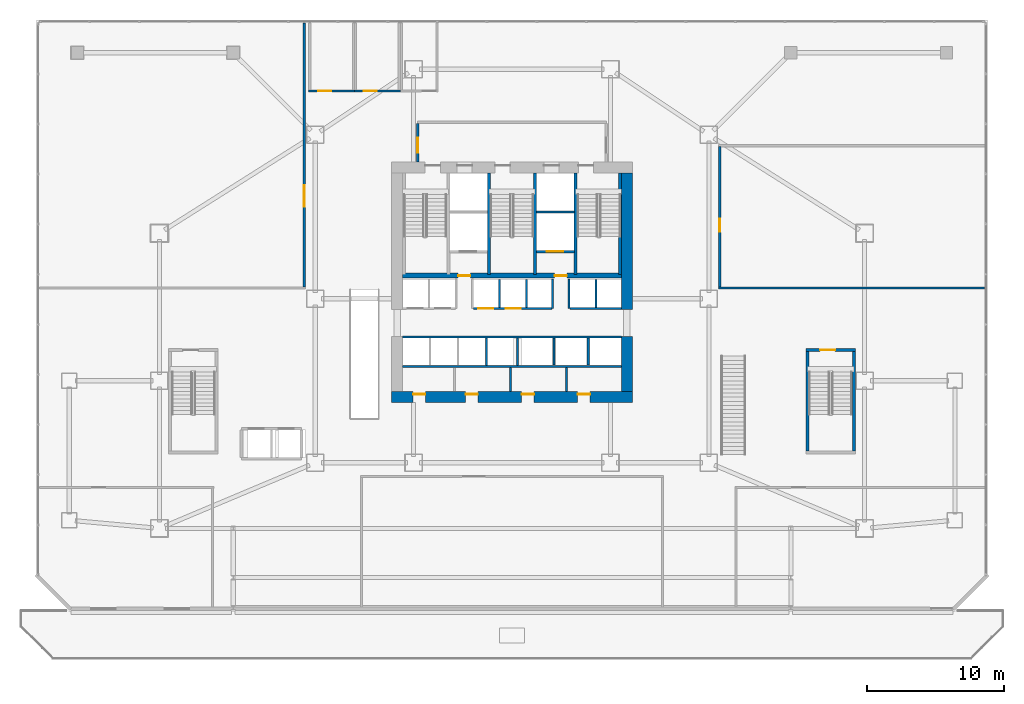
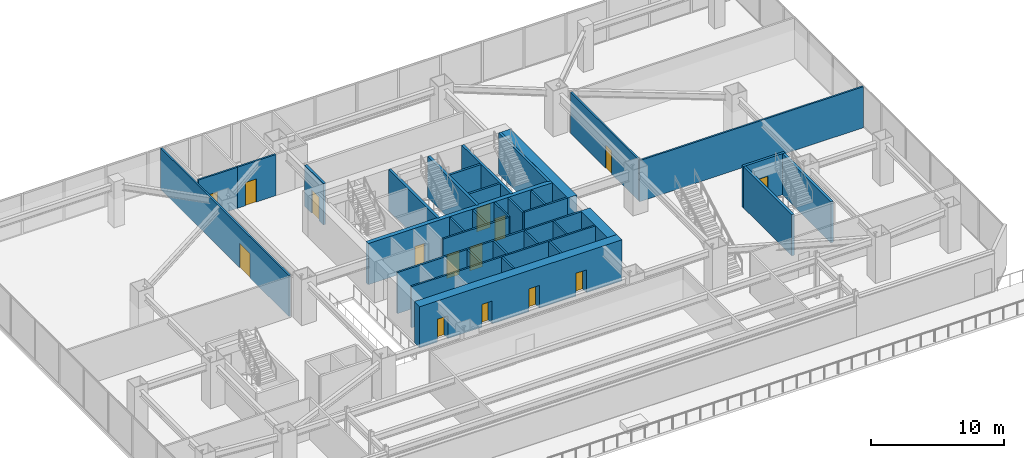
# One storey, part 24 of 32: 34 walls, 15 doors, 15 openings.
"""IFC4 building model written with IfcOpenShell, lengths in metres."""

from ifc_helpers import new_model, si_unit, direction, frame, frame_2d, origin, place, context, subcontext, project, spatial, rectangle, extrude, material, layer, layer_set, type_object, element, fill, save


model = new_model("IFC4")

# Units and contexts
model_context = context("Model", 3, precision=1e-05, world=origin(), true_north=direction((0.0, 1.0)))
body_context = subcontext(model_context, "Body", "Model", "MODEL_VIEW")
ifc_project = project(units=[si_unit("LENGTHUNIT", "METRE"), si_unit("AREAUNIT", "SQUARE_METRE"), si_unit("VOLUMEUNIT", "CUBIC_METRE"), si_unit("PLANEANGLEUNIT", "RADIAN"), si_unit("MASSUNIT", "GRAM", prefix="KILO")], contexts=[model_context])

# Site, building, storey
site_placement = place(None, origin())
site = spatial("IfcSite", under=ifc_project, at=site_placement, CompositionType="ELEMENT")
building_placement = place(site_placement, origin())
building = spatial("IfcBuilding", under=site, at=building_placement, Name="Haolan Belvedere Tower", CompositionType="ELEMENT")
storey_placement = place(building_placement, frame((0.0, 0.0, 15.60009765625)))
storey = spatial("IfcBuildingStorey", under=building, at=storey_placement, Name="L03", CompositionType="ELEMENT", Elevation=15.60009765625)

# Wall, openings, doors
ifc_material_1 = material(Name="Concrete C70/85", Category="concrete")
ifc_layer_1 = layer(ifc_material_1, 0.800048828125, Name="Concrete C70/85")
ifc_layer_set_1 = layer_set([ifc_layer_1], Name="Concrete C70/85")
wall_type_1 = type_object("IfcWallType", Name="WL-CORE-800", PredefinedType="SHEAR", material=ifc_layer_set_1)
wall_1_placement = place(storey_placement, frame((29.60009765625, 26.39990234375, 0.0), z_axis=(0.0, 0.0, 1.0), x_axis=(1.0, 0.0, 0.0)))
wall_1 = element("IfcWall", 1, at=wall_1_placement, inside=storey, type_object=wall_type_1, Name="L03 central core south shear wall", PredefinedType="SHEAR", context=body_context, shape_type="SweptSolid", body=[
    extrude(rectangle(XDim=17.599853515625, YDim=0.800048828125, at=frame_2d((8.7998046875, 0.0))), origin(), (0.0, 0.0, 1.0), 3.77978515625),
])
opening_1_placement = place(wall_1_placement, frame((2.469970703125, 0.0, 0.0), z_axis=(0.0, 0.0, 1.0), x_axis=(-1.0, 0.0, 0.0)))
opening_1 = element("IfcOpeningElement", 2, at=opening_1_placement, cuts=wall_1, Name="Opening FD-05", PredefinedType="OPENING", context=body_context, shape_type="SweptSolid", body=[
    extrude(rectangle(XDim=0.89990234375, YDim=2.10009765625, at=frame_2d((0.449951171875, 1.050048828125))), frame((0.0, 0.409912109375, 0.0), z_axis=(0.0, -1.0, 0.0), x_axis=(1.0, 0.0, 0.0)), (0.0, 0.0, 1.0), 0.820068359375),
])
opening_2_placement = place(wall_1_placement, frame((6.309814453125, 0.0, 0.0), z_axis=(0.0, 0.0, 1.0), x_axis=(-1.0, 0.0, 0.0)))
opening_2 = element("IfcOpeningElement", 3, at=opening_2_placement, cuts=wall_1, Name="Opening FD-05", PredefinedType="OPENING", context=body_context, shape_type="SweptSolid", body=[
    extrude(rectangle(XDim=0.89990234375, YDim=2.10009765625, at=frame_2d((0.449951171875, 1.050048828125))), frame((0.0, 0.409912109375, 0.0), z_axis=(0.0, -1.0, 0.0), x_axis=(1.0, 0.0, 0.0)), (0.0, 0.0, 1.0), 0.820068359375),
])
opening_3_placement = place(wall_1_placement, frame((10.409912109375, 0.0, 0.0), z_axis=(0.0, 0.0, 1.0), x_axis=(-1.0, 0.0, 0.0)))
opening_3 = element("IfcOpeningElement", 4, at=opening_3_placement, cuts=wall_1, Name="Opening FD-05", PredefinedType="OPENING", context=body_context, shape_type="SweptSolid", body=[
    extrude(rectangle(XDim=0.89990234375, YDim=2.10009765625, at=frame_2d((0.449951171875, 1.050048828125))), frame((0.0, 0.409912109375, 0.0), z_axis=(0.0, -1.0, 0.0), x_axis=(1.0, 0.0, 0.0)), (0.0, 0.0, 1.0), 0.820068359375),
])
opening_4_placement = place(wall_1_placement, frame((14.510009765625, 0.0, 0.0), z_axis=(0.0, 0.0, 1.0), x_axis=(-1.0, 0.0, 0.0)))
opening_4 = element("IfcOpeningElement", 5, at=opening_4_placement, cuts=wall_1, Name="Opening FD-05", PredefinedType="OPENING", context=body_context, shape_type="SweptSolid", body=[
    extrude(rectangle(XDim=0.89990234375, YDim=2.10009765625, at=frame_2d((0.449951171875, 1.050048828125))), frame((0.0, 0.409912109375, 0.0), z_axis=(0.0, -1.0, 0.0), x_axis=(1.0, 0.0, 0.0)), (0.0, 0.0, 1.0), 0.820068359375),
])
ifc_material_2 = material(Name="Galvanised fire-rated steel", Category="steel")
door_type_1 = type_object("IfcDoorType", Name="DR-FD60-900", OperationType="NOTDEFINED", PredefinedType="DOOR", material=ifc_material_2)
door_1_placement = place(opening_1_placement, origin())
door_1 = element("IfcDoor", 6, at=door_1_placement, inside=storey, type_object=door_type_1, Name="L03 door CD-L03-SCV-1", OperationType="SINGLE_SWING_LEFT", OverallHeight=2.10009765625, OverallWidth=0.89990234375, PredefinedType="DOOR", context=body_context, shape_type="SweptSolid", body=[
    extrude(rectangle(XDim=0.89990234375, YDim=2.10009765625, at=frame_2d((0.449951171875, 1.050048828125))), frame((0.0, -0.19482421875, 0.0), z_axis=(0.0, -1.0, 0.0), x_axis=(1.0, 0.0, 0.0)), (0.0, 0.0, 1.0), 0.050048828125),
])
fill(opening_1, door_1)
door_2_placement = place(opening_2_placement, origin())
door_2 = element("IfcDoor", 7, at=door_2_placement, inside=storey, type_object=door_type_1, Name="L03 door CD-L03-SCV-2", OperationType="SINGLE_SWING_RIGHT", OverallHeight=2.10009765625, OverallWidth=0.89990234375, PredefinedType="DOOR", context=body_context, shape_type="SweptSolid", body=[
    extrude(rectangle(XDim=0.89990234375, YDim=2.10009765625, at=frame_2d((0.449951171875, 1.050048828125))), frame((0.0, -0.19482421875, 0.0), z_axis=(0.0, -1.0, 0.0), x_axis=(1.0, 0.0, 0.0)), (0.0, 0.0, 1.0), 0.050048828125),
])
fill(opening_2, door_2)
door_3_placement = place(opening_3_placement, origin())
door_3 = element("IfcDoor", 8, at=door_3_placement, inside=storey, type_object=door_type_1, Name="L03 door CD-L03-SCV-3", OperationType="SINGLE_SWING_LEFT", OverallHeight=2.10009765625, OverallWidth=0.89990234375, PredefinedType="DOOR", context=body_context, shape_type="SweptSolid", body=[
    extrude(rectangle(XDim=0.89990234375, YDim=2.10009765625, at=frame_2d((0.449951171875, 1.050048828125))), frame((0.0, -0.19482421875, 0.0), z_axis=(0.0, -1.0, 0.0), x_axis=(1.0, 0.0, 0.0)), (0.0, 0.0, 1.0), 0.050048828125),
])
fill(opening_3, door_3)
door_4_placement = place(opening_4_placement, origin())
door_4 = element("IfcDoor", 9, at=door_4_placement, inside=storey, type_object=door_type_1, Name="L03 door CD-L03-SCV-4", OperationType="SINGLE_SWING_RIGHT", OverallHeight=2.10009765625, OverallWidth=0.89990234375, PredefinedType="DOOR", context=body_context, shape_type="SweptSolid", body=[
    extrude(rectangle(XDim=0.89990234375, YDim=2.10009765625, at=frame_2d((0.449951171875, 1.050048828125))), frame((0.0, -0.19482421875, 0.0), z_axis=(0.0, -1.0, 0.0), x_axis=(1.0, 0.0, 0.0)), (0.0, 0.0, 1.0), 0.050048828125),
])
fill(opening_4, door_4)

# Walls
wall_2_placement = place(storey_placement, frame((46.800048828125, 26.800048828125, 0.0), z_axis=(0.0, 0.0, 1.0), x_axis=(0.0, 1.0, 0.0)))
element("IfcWall", 10, at=wall_2_placement, inside=storey, type_object=wall_type_1, Name="L03 central core shear wall ES", PredefinedType="SHEAR", context=body_context, shape_type="SweptSolid", body=[
    extrude(rectangle(XDim=4.050048828125, YDim=0.800048828125, at=frame_2d((2.02490234375, 0.0))), origin(), (0.0, 0.0, 1.0), 3.77978515625),
])
wall_3_placement = place(storey_placement, frame((46.800048828125, 32.800048828125, 0.0), z_axis=(0.0, 0.0, 1.0), x_axis=(0.0, 1.0, 0.0)))
element("IfcWall", 11, at=wall_3_placement, inside=storey, type_object=wall_type_1, Name="L03 central core shear wall EN", PredefinedType="SHEAR", context=body_context, shape_type="SweptSolid", body=[
    extrude(rectangle(XDim=10.0, YDim=0.800048828125, at=frame_2d((5.0, 0.0))), origin(), (0.0, 0.0, 1.0), 3.77978515625),
])

# Wall, opening, door
ifc_material_3 = material(Name="Concrete C40/50", Category="concrete")
ifc_layer_2 = layer(ifc_material_3, 0.199951171875, Name="Concrete C40/50")
ifc_layer_set_2 = layer_set([ifc_layer_2], Name="Concrete C40/50")
wall_type_2 = type_object("IfcWallType", Name="WL-FIRE-200", PredefinedType="SOLIDWALL", material=ifc_layer_set_2)
wall_4_placement = place(storey_placement, frame((31.5, 43.60009765625, 0.0), z_axis=(0.0, 0.0, 1.0), x_axis=(0.0, 1.0, 0.0)))
wall_4 = element("IfcWall", 12, at=wall_4_placement, inside=storey, type_object=wall_type_2, Name="L03 interior partition IW-L03-FFL-W", PredefinedType="SOLIDWALL", context=body_context, shape_type="SweptSolid", body=[
    extrude(rectangle(XDim=2.8349609375, YDim=0.199951171875, at=frame_2d((1.41748046875, 0.0))), origin(), (0.0, 0.0, 1.0), 3.77978515625),
])
opening_5_placement = place(wall_4_placement, frame((1.800048828125, 0.0, 0.0), z_axis=(0.0, 0.0, 1.0), x_axis=(-1.0, 0.0, 0.0)))
opening_5 = element("IfcOpeningElement", 13, at=opening_5_placement, cuts=wall_4, Name="Opening FD-03", PredefinedType="OPENING", context=body_context, shape_type="SweptSolid", body=[
    extrude(rectangle(XDim=1.10009765625, YDim=2.14990234375, at=frame_2d((0.550048828125, 1.074951171875))), frame((0.0, 0.10986328125, 0.0), z_axis=(0.0, -1.0, 0.0), x_axis=(1.0, 0.0, 0.0)), (0.0, 0.0, 1.0), 0.219970703125),
])
door_type_2 = type_object("IfcDoorType", Name="DR-FD90-1100", OperationType="NOTDEFINED", PredefinedType="DOOR", material=ifc_material_2)
door_5_placement = place(opening_5_placement, origin())
door_5 = element("IfcDoor", 14, at=door_5_placement, inside=storey, type_object=door_type_2, Name="L03 door ID-L03-FFL-DW", OperationType="SINGLE_SWING_LEFT", OverallHeight=2.14990234375, OverallWidth=1.10009765625, PredefinedType="DOOR", context=body_context, shape_type="SweptSolid", body=[
    extrude(rectangle(XDim=1.10009765625, YDim=2.14990234375, at=frame_2d((0.550048828125, 1.074951171875))), frame((0.0, 0.02490234375, 0.0), z_axis=(0.0, -1.0, 0.0), x_axis=(1.0, 0.0, 0.0)), (0.0, 0.0, 1.0), 0.050048828125),
])
fill(opening_5, door_5)

# Walls
ifc_material_4 = material(Name="Double gypsum acoustic stud partition", Category="masonry")
ifc_layer_3 = layer(ifc_material_4, 0.14990234375, Name="Double gypsum acoustic stud partition")
ifc_layer_set_3 = layer_set([ifc_layer_3], Name="Double gypsum acoustic stud partition")
wall_type_3 = type_object("IfcWallType", Name="WL-PART-150", PredefinedType="PARTITIONING", material=ifc_layer_set_3)
wall_5_placement = place(storey_placement, frame((30.39990234375, 28.659912109375, 0.0), z_axis=(0.0, 0.0, 1.0), x_axis=(1.0, 0.0, 0.0)))
element("IfcWall", 15, at=wall_5_placement, inside=storey, type_object=wall_type_3, Name="L03 interior partition IW-L03-SSTRIP-N", PredefinedType="PARTITIONING", context=body_context, shape_type="SweptSolid", body=[
    extrude(rectangle(XDim=16.0, YDim=0.14990234375, at=frame_2d((8.0, 0.0))), origin(), (0.0, 0.0, 1.0), 3.77978515625),
])
for number, where, z_axis, x_axis, name in (
    (16, (38.280029296875, 26.81005859375, 0.0), (0.0, 0.0, 1.0), (0.0, 1.0, 0.0), "L03 interior partition IW-L03-SCV-DIV-2"),
    (17, (42.3798828125, 26.81005859375, 0.0), (0.0, 0.0, 1.0), (0.0, 1.0, 0.0), "L03 interior partition IW-L03-SCV-DIV-3"),
):
    element("IfcWall", number, at=place(storey_placement, frame(where, z_axis=z_axis, x_axis=x_axis)), inside=storey, type_object=wall_type_3, Name=name, PredefinedType="PARTITIONING", context=body_context, shape_type="SweptSolid", body=[
        extrude(rectangle(XDim=1.77001953125, YDim=0.14990234375, at=frame_2d((0.885009765625, 0.0))), origin(), (0.0, 0.0, 1.0), 3.77978515625),
    ])

# Wall, opening, door
wall_6_placement = place(storey_placement, frame((23.52001953125, 48.800048828125, 0.0), z_axis=(0.0, 0.0, 1.0), x_axis=(1.0, 0.0, 0.0)))
wall_6 = element("IfcWall", 18, at=wall_6_placement, inside=storey, type_object=wall_type_3, Name="L03 interior partition IW-L03-WCM-S", PredefinedType="PARTITIONING", context=body_context, shape_type="SweptSolid", body=[
    extrude(rectangle(XDim=3.35986328125, YDim=0.14990234375, at=frame_2d((1.679931640625, 0.0))), origin(), (0.0, 0.0, 1.0), 3.77978515625),
])
opening_6_placement = place(wall_6_placement, frame((0.699951171875, 0.0, 0.0)))
opening_6 = element("IfcOpeningElement", 19, at=opening_6_placement, cuts=wall_6, Name="Opening ID-03", PredefinedType="OPENING", context=body_context, shape_type="SweptSolid", body=[
    extrude(rectangle(XDim=0.949951171875, YDim=2.1201171875, at=frame_2d((0.47509765625, 1.06005859375))), frame((0.0, 0.0849609375, 0.0), z_axis=(0.0, -1.0, 0.0), x_axis=(1.0, 0.0, 0.0)), (0.0, 0.0, 1.0), 0.169921875),
])
ifc_material_5 = material(Name="Painted solid-core timber", Category="wood")
door_type_3 = type_object("IfcDoorType", Name="DR-INT-950", OperationType="NOTDEFINED", PredefinedType="DOOR", material=ifc_material_5)
door_6_placement = place(opening_6_placement, origin())
door_6 = element("IfcDoor", 20, at=door_6_placement, inside=storey, type_object=door_type_3, Name="L03 door ID-L03-WCM", OperationType="SINGLE_SWING_LEFT", OverallHeight=2.1201171875, OverallWidth=0.949951171875, PredefinedType="DOOR", context=body_context, shape_type="SweptSolid", body=[
    extrude(rectangle(XDim=0.949951171875, YDim=2.1201171875, at=frame_2d((0.47509765625, 1.06005859375))), frame((0.0, 0.02490234375, 0.0), z_axis=(0.0, -1.0, 0.0), x_axis=(1.0, 0.0, 0.0)), (0.0, 0.0, 1.0), 0.050048828125),
])
fill(opening_6, door_6)

wall_7_placement = place(storey_placement, frame((26.882080078125, 48.800048828125, 0.0), z_axis=(0.0, 0.0, 1.0), x_axis=(1.0, 0.0, 0.0)))
wall_7 = element("IfcWall", 21, at=wall_7_placement, inside=storey, type_object=wall_type_3, Name="L03 interior partition IW-L03-WCF-S", PredefinedType="PARTITIONING", context=body_context, shape_type="SweptSolid", body=[
    extrude(rectangle(XDim=3.347900390625, YDim=0.14990234375, at=frame_2d((1.673828125, 0.0))), origin(), (0.0, 0.0, 1.0), 3.77978515625),
])
opening_7_placement = place(wall_7_placement, frame((0.68798828125, 0.0, 0.0)))
opening_7 = element("IfcOpeningElement", 22, at=opening_7_placement, cuts=wall_7, Name="Opening ID-03", PredefinedType="OPENING", context=body_context, shape_type="SweptSolid", body=[
    extrude(rectangle(XDim=0.949951171875, YDim=2.1201171875, at=frame_2d((0.47509765625, 1.06005859375))), frame((0.0, 0.0849609375, 0.0), z_axis=(0.0, -1.0, 0.0), x_axis=(1.0, 0.0, 0.0)), (0.0, 0.0, 1.0), 0.169921875),
])
door_7_placement = place(opening_7_placement, origin())
door_7 = element("IfcDoor", 23, at=door_7_placement, inside=storey, type_object=door_type_3, Name="L03 door ID-L03-WCF", OperationType="SINGLE_SWING_RIGHT", OverallHeight=2.1201171875, OverallWidth=0.949951171875, PredefinedType="DOOR", context=body_context, shape_type="SweptSolid", body=[
    extrude(rectangle(XDim=0.949951171875, YDim=2.1201171875, at=frame_2d((0.47509765625, 1.06005859375))), frame((0.0, 0.02490234375, 0.0), z_axis=(0.0, -1.0, 0.0), x_axis=(1.0, 0.0, 0.0)), (0.0, 0.0, 1.0), 0.050048828125),
])
fill(opening_7, door_7)

wall_8_placement = place(storey_placement, frame((23.199951171875, 34.4599609375, 0.0), z_axis=(0.0, 0.0, 1.0), x_axis=(0.0, 1.0, 0.0)))
wall_8 = element("IfcWall", 24, at=wall_8_placement, inside=storey, type_object=wall_type_3, Name="L03 interior partition IW-L03-AUD-E", PredefinedType="PARTITIONING", context=body_context, shape_type="SweptSolid", body=[
    extrude(rectangle(XDim=19.328125, YDim=0.14990234375, at=frame_2d((9.6640625, 0.0))), origin(), (0.0, 0.0, 1.0), 3.77978515625),
])
opening_8_placement = place(wall_8_placement, frame((7.460205078125, 0.0, 0.0), z_axis=(0.0, 0.0, 1.0), x_axis=(-1.0, 0.0, 0.0)))
opening_8 = element("IfcOpeningElement", 25, at=opening_8_placement, cuts=wall_8, Name="Opening ID-06", PredefinedType="OPENING", context=body_context, shape_type="SweptSolid", body=[
    extrude(rectangle(XDim=1.60009765625, YDim=2.25, at=frame_2d((0.800048828125, 1.125))), frame((0.0, 0.0849609375, 0.0), z_axis=(0.0, -1.0, 0.0), x_axis=(1.0, 0.0, 0.0)), (0.0, 0.0, 1.0), 0.169921875),
])
ifc_material_6 = material(Name="Anodised bronze-champagne aluminium and acoustic glass", Category="aluminium")
door_type_4 = type_object("IfcDoorType", Name="DR-DBL-1600", OperationType="DOUBLE_DOOR_SINGLE_SWING", PredefinedType="DOOR", material=ifc_material_6)
door_8_placement = place(opening_8_placement, origin())
door_8 = element("IfcDoor", 26, at=door_8_placement, inside=storey, type_object=door_type_4, Name="L03 door ID-L03-AUD", OperationType="DOUBLE_DOOR_SINGLE_SWING", OverallHeight=2.25, OverallWidth=1.60009765625, PredefinedType="DOOR", context=body_context, shape_type="SweptSolid", body=[
    extrude(rectangle(XDim=1.60009765625, YDim=2.25, at=frame_2d((0.800048828125, 1.125))), frame((0.0, 0.02490234375, 0.0), z_axis=(0.0, -1.0, 0.0), x_axis=(1.0, 0.0, 0.0)), (0.0, 0.0, 1.0), 0.050048828125),
])
fill(opening_8, door_8)

# Wall
wall_9_placement = place(storey_placement, frame((53.52001953125, 34.39990234375, 0.0), z_axis=(0.0, 0.0, 1.0), x_axis=(1.0, 0.0, 0.0)))
element("IfcWall", 27, at=wall_9_placement, inside=storey, type_object=wall_type_3, Name="L03 interior partition IW-L03-BRD1-S", PredefinedType="PARTITIONING", context=body_context, shape_type="SweptSolid", body=[
    extrude(rectangle(XDim=19.468017578125, YDim=0.14990234375, at=frame_2d((9.73388671875, 0.0))), origin(), (0.0, 0.0, 1.0), 3.77978515625),
])

# Wall, opening, door
wall_10_placement = place(storey_placement, frame((53.60009765625, 34.4599609375, 0.0), z_axis=(0.0, 0.0, 1.0), x_axis=(0.0, 1.0, 0.0)))
wall_10 = element("IfcWall", 28, at=wall_10_placement, inside=storey, type_object=wall_type_3, Name="L03 interior partition IW-L03-BRD1-W", PredefinedType="PARTITIONING", context=body_context, shape_type="SweptSolid", body=[
    extrude(rectangle(XDim=10.280029296875, YDim=0.14990234375, at=frame_2d((5.14013671875, 0.0))), origin(), (0.0, 0.0, 1.0), 3.77978515625),
])
opening_9_placement = place(wall_10_placement, frame((4.06005859375, 0.0, 0.0)))
opening_9 = element("IfcOpeningElement", 29, at=opening_9_placement, cuts=wall_10, Name="Opening ID-03", PredefinedType="OPENING", context=body_context, shape_type="SweptSolid", body=[
    extrude(rectangle(XDim=0.949951171875, YDim=2.1201171875, at=frame_2d((0.47509765625, 1.06005859375))), frame((0.0, 0.0849609375, 0.0), z_axis=(0.0, -1.0, 0.0), x_axis=(1.0, 0.0, 0.0)), (0.0, 0.0, 1.0), 0.169921875),
])
door_9_placement = place(opening_9_placement, origin())
door_9 = element("IfcDoor", 30, at=door_9_placement, inside=storey, type_object=door_type_3, Name="L03 door ID-L03-BRD1", OperationType="SINGLE_SWING_LEFT", OverallHeight=2.1201171875, OverallWidth=0.949951171875, PredefinedType="DOOR", context=body_context, shape_type="SweptSolid", body=[
    extrude(rectangle(XDim=0.949951171875, YDim=2.1201171875, at=frame_2d((0.47509765625, 1.06005859375))), frame((0.0, 0.02490234375, 0.0), z_axis=(0.0, -1.0, 0.0), x_axis=(1.0, 0.0, 0.0)), (0.0, 0.0, 1.0), 0.050048828125),
])
fill(opening_9, door_9)

# Walls
ifc_material_7 = material(Name="Gypsum fire shaftwall assembly", Category="masonry")
ifc_layer_4 = layer(ifc_material_7, 0.1650390625, Name="Gypsum fire shaftwall assembly")
ifc_layer_set_4 = layer_set([ifc_layer_4], Name="Gypsum fire shaftwall assembly")
wall_type_4 = type_object("IfcWallType", Name="WL-SHAFT-160", PredefinedType="SOLIDWALL", material=ifc_layer_set_4)
for number, where, z_axis, x_axis, name in (
    (31, (41.3701171875, 32.8798828125, 0.0), (0.0, 0.0, 1.0), (0.0, 1.0, 0.0), "L03 interior partition IW-L03-SVP-W-SV2"),
    (32, (42.570068359375, 32.8798828125, 0.0), (0.0, 0.0, 1.0), (0.0, 1.0, 0.0), "L03 interior partition IW-L03-SVP-E-SV2"),
):
    element("IfcWall", number, at=place(storey_placement, frame(where, z_axis=z_axis, x_axis=x_axis)), inside=storey, type_object=wall_type_4, Name=name, PredefinedType="SOLIDWALL", context=body_context, shape_type="SweptSolid", body=[
        extrude(rectangle(XDim=2.170166015625, YDim=0.14990234375, at=frame_2d((1.0849609375, 0.0))), origin(), (0.0, 0.0, 1.0), 3.77978515625),
    ])

# Wall, openings, doors
wall_11_placement = place(storey_placement, frame((35.570068359375, 32.8798828125, 0.0), z_axis=(0.0, 0.0, 1.0), x_axis=(1.0, 0.0, 0.0)))
wall_11 = element("IfcWall", 33, at=wall_11_placement, inside=storey, type_object=wall_type_4, Name="L03 interior partition IW-L03-ROW-PN2", PredefinedType="SOLIDWALL", context=body_context, shape_type="SweptSolid", body=[
    extrude(rectangle(XDim=5.739990234375, YDim=0.159912109375, at=frame_2d((2.8701171875, 0.0))), origin(), (0.0, 0.0, 1.0), 3.77978515625),
])
opening_10_placement = place(wall_11_placement, frame((1.47021484375, 0.0, 0.0), z_axis=(0.0, 0.0, 1.0), x_axis=(-1.0, 0.0, 0.0)))
opening_10 = element("IfcOpeningElement", 34, at=opening_10_placement, cuts=wall_11, Name="Opening LD-01", PredefinedType="OPENING", context=body_context, shape_type="SweptSolid", body=[
    extrude(rectangle(XDim=1.10009765625, YDim=2.199951171875, at=frame_2d((0.550048828125, 1.10009765625))), frame((0.0, 0.08984375, 0.0), z_axis=(0.0, -1.0, 0.0), x_axis=(1.0, 0.0, 0.0)), (0.0, 0.0, 1.0), 0.179931640625),
])
opening_11_placement = place(wall_11_placement, frame((3.460205078125, 0.0, 0.0), z_axis=(0.0, 0.0, 1.0), x_axis=(-1.0, 0.0, 0.0)))
opening_11 = element("IfcOpeningElement", 35, at=opening_11_placement, cuts=wall_11, Name="Opening LD-01", PredefinedType="OPENING", context=body_context, shape_type="SweptSolid", body=[
    extrude(rectangle(XDim=1.10009765625, YDim=2.199951171875, at=frame_2d((0.550048828125, 1.10009765625))), frame((0.0, 0.08984375, 0.0), z_axis=(0.0, -1.0, 0.0), x_axis=(1.0, 0.0, 0.0)), (0.0, 0.0, 1.0), 0.179931640625),
])
ifc_material_8 = material(Name="Brushed champagne stainless steel 316L", Category="steel")
door_type_5 = type_object("IfcDoorType", Name="DR-LIFT-1100", OperationType="SLIDING_TO_LEFT", PredefinedType="DOOR", material=ifc_material_8)
door_10_placement = place(opening_10_placement, origin())
door_10 = element("IfcDoor", 36, at=door_10_placement, inside=storey, type_object=door_type_5, Name="L03 door ID-L03-LD-PL3", OperationType="SLIDING_TO_LEFT", OverallHeight=2.199951171875, OverallWidth=1.10009765625, PredefinedType="DOOR", context=body_context, shape_type="SweptSolid", body=[
    extrude(rectangle(XDim=1.10009765625, YDim=2.199951171875, at=frame_2d((0.550048828125, 1.10009765625))), frame((0.0, 0.02490234375, 0.0), z_axis=(0.0, -1.0, 0.0), x_axis=(1.0, 0.0, 0.0)), (0.0, 0.0, 1.0), 0.050048828125),
])
fill(opening_10, door_10)
door_11_placement = place(opening_11_placement, origin())
door_11 = element("IfcDoor", 37, at=door_11_placement, inside=storey, type_object=door_type_5, Name="L03 door ID-L03-LD-PL4", OperationType="SLIDING_TO_LEFT", OverallHeight=2.199951171875, OverallWidth=1.10009765625, PredefinedType="DOOR", context=body_context, shape_type="SweptSolid", body=[
    extrude(rectangle(XDim=1.10009765625, YDim=2.199951171875, at=frame_2d((0.550048828125, 1.10009765625))), frame((0.0, 0.02490234375, 0.0), z_axis=(0.0, -1.0, 0.0), x_axis=(1.0, 0.0, 0.0)), (0.0, 0.0, 1.0), 0.050048828125),
])
fill(opening_11, door_11)

# Walls
wall_12_placement = place(storey_placement, frame((42.6298828125, 32.8798828125, 0.0), z_axis=(0.0, 0.0, 1.0), x_axis=(1.0, 0.0, 0.0)))
element("IfcWall", 38, at=wall_12_placement, inside=storey, type_object=wall_type_4, Name="L03 interior partition IW-L03-ROW-PN3", PredefinedType="SOLIDWALL", context=body_context, shape_type="SweptSolid", body=[
    extrude(rectangle(XDim=3.77001953125, YDim=0.159912109375, at=frame_2d((1.885009765625, 0.0))), origin(), (0.0, 0.0, 1.0), 3.77978515625),
])
for number, where, z_axis, x_axis, name in (
    (39, (37.47998046875, 32.949951171875, 0.0), (0.0, 0.0, 1.0), (0.0, 1.0, 0.0), "L03 interior partition IW-L03-DIV-PL3"),
    (40, (39.469970703125, 32.949951171875, 0.0), (0.0, 0.0, 1.0), (0.0, 1.0, 0.0), "L03 interior partition IW-L03-DIV-PL4"),
    (41, (44.530029296875, 32.949951171875, 0.0), (0.0, 0.0, 1.0), (0.0, 1.0, 0.0), "L03 interior partition IW-L03-DIV-PH2"),
):
    element("IfcWall", number, at=place(storey_placement, frame(where, z_axis=z_axis, x_axis=x_axis)), inside=storey, type_object=wall_type_4, Name=name, PredefinedType="SOLIDWALL", context=body_context, shape_type="SweptSolid", body=[
        extrude(rectangle(XDim=2.050048828125, YDim=0.14990234375, at=frame_2d((1.02490234375, 0.0))), origin(), (0.0, 0.0, 1.0), 3.77978515625),
    ])
wall_13_placement = place(storey_placement, frame((30.39990234375, 30.800048828125, 0.0), z_axis=(0.0, 0.0, 1.0), x_axis=(1.0, 0.0, 0.0)))
element("IfcWall", 42, at=wall_13_placement, inside=storey, type_object=wall_type_4, Name="L03 interior partition IW-L03-ROW-PS", PredefinedType="SOLIDWALL", context=body_context, shape_type="SweptSolid", body=[
    extrude(rectangle(XDim=16.0, YDim=0.159912109375, at=frame_2d((8.0, 0.0))), origin(), (0.0, 0.0, 1.0), 3.77978515625),
])
for number, where, z_axis, x_axis, name in (
    (43, (36.52001953125, 28.735107421875, 0.0), (0.0, 0.0, 1.0), (0.0, 1.0, 0.0), "L03 interior partition IW-L03-DIV-PM3"),
    (44, (38.800048828125, 28.735107421875, 0.0), (0.0, 0.0, 1.0), (0.0, 1.0, 0.0), "L03 interior partition IW-L03-DIV-PM4"),
):
    element("IfcWall", number, at=place(storey_placement, frame(where, z_axis=z_axis, x_axis=x_axis)), inside=storey, type_object=wall_type_4, Name=name, PredefinedType="SOLIDWALL", context=body_context, shape_type="SweptSolid", body=[
        extrude(rectangle(XDim=1.98486328125, YDim=0.14990234375, at=frame_2d((0.992431640625, 0.0))), origin(), (0.0, 0.0, 1.0), 3.77978515625),
    ])
for number, where, z_axis, x_axis, name in (
    (45, (41.469970703125, 28.75, 0.0), (0.0, 0.0, 1.0), (0.0, 1.0, 0.0), "L03 interior partition IW-L03-DIV-OB1"),
    (46, (43.97998046875, 28.75, 0.0), (0.0, 0.0, 1.0), (0.0, 1.0, 0.0), "L03 interior partition IW-L03-DIV-OB2"),
):
    element("IfcWall", number, at=place(storey_placement, frame(where, z_axis=z_axis, x_axis=x_axis)), inside=storey, type_object=wall_type_4, Name=name, PredefinedType="SOLIDWALL", context=body_context, shape_type="SweptSolid", body=[
        extrude(rectangle(XDim=1.985107421875, YDim=0.14990234375, at=frame_2d((0.99267578125, 0.0))), origin(), (0.0, 0.0, 1.0), 3.77978515625),
    ])
ifc_material_9 = material(Name="Precast concrete C40/50", Category="concrete")
ifc_layer_5 = layer(ifc_material_9, 0.179931640625, Name="Precast concrete C40/50")
ifc_layer_set_5 = layer_set([ifc_layer_5], Name="Precast concrete C40/50")
wall_type_5 = type_object("IfcWallType", Name="WL-SHAFT-180", PredefinedType="SOLIDWALL", material=ifc_layer_set_5)
wall_14_placement = place(storey_placement, frame((40.195068359375, 39.949951171875, 0.0), z_axis=(0.0, 0.0, 1.0), x_axis=(1.0, 0.0, 0.0)))
element("IfcWall", 47, at=wall_14_placement, inside=storey, type_object=wall_type_5, Name="L03 interior partition IW-L03-FF2-S", PredefinedType="SOLIDWALL", context=body_context, shape_type="SweptSolid", body=[
    extrude(rectangle(XDim=2.77001953125, YDim=0.179931640625, at=frame_2d((1.385009765625, 0.0))), origin(), (0.0, 0.0, 1.0), 3.77978515625),
])

# Wall, opening, door
wall_15_placement = place(storey_placement, frame((40.195068359375, 37.050048828125, 0.0), z_axis=(0.0, 0.0, 1.0), x_axis=(1.0, 0.0, 0.0)))
wall_15 = element("IfcWall", 48, at=wall_15_placement, inside=storey, type_object=wall_type_5, Name="L03 interior partition IW-L03-SV2-S", PredefinedType="SOLIDWALL", context=body_context, shape_type="SweptSolid", body=[
    extrude(rectangle(XDim=2.77001953125, YDim=0.179931640625, at=frame_2d((1.385009765625, 0.0))), origin(), (0.0, 0.0, 1.0), 3.77978515625),
])
opening_12_placement = place(wall_15_placement, frame((1.945068359375, 0.0, 0.0), z_axis=(0.0, 0.0, 1.0), x_axis=(-1.0, 0.0, 0.0)))
opening_12 = element("IfcOpeningElement", 49, at=opening_12_placement, cuts=wall_15, Name="Opening LD-02", PredefinedType="OPENING", context=body_context, shape_type="SweptSolid", body=[
    extrude(rectangle(XDim=1.199951171875, YDim=2.199951171875, at=frame_2d((0.60009765625, 1.10009765625))), frame((0.0, 0.099853515625, 0.0), z_axis=(0.0, -1.0, 0.0), x_axis=(1.0, 0.0, 0.0)), (0.0, 0.0, 1.0), 0.199951171875),
])
door_type_6 = type_object("IfcDoorType", Name="DR-LIFT-1200", OperationType="SLIDING_TO_RIGHT", PredefinedType="DOOR", material=ifc_material_8)
door_12_placement = place(opening_12_placement, origin())
door_12 = element("IfcDoor", 50, at=door_12_placement, inside=storey, type_object=door_type_6, Name="L03 door ID-L03-LD-SV2", OperationType="SLIDING_TO_RIGHT", OverallHeight=2.199951171875, OverallWidth=1.199951171875, PredefinedType="DOOR", context=body_context, shape_type="SweptSolid", body=[
    extrude(rectangle(XDim=1.199951171875, YDim=2.199951171875, at=frame_2d((0.60009765625, 1.10009765625))), frame((0.0, 0.02490234375, 0.0), z_axis=(0.0, -1.0, 0.0), x_axis=(1.0, 0.0, 0.0)), (0.0, 0.0, 1.0), 0.050048828125),
])
fill(opening_12, door_12)

# Walls
ifc_material_10 = material(Name="Concrete C50/60", Category="concrete")
ifc_layer_6 = layer(ifc_material_10, 0.219970703125, Name="Concrete C50/60")
ifc_layer_set_6 = layer_set([ifc_layer_6], Name="Concrete C50/60")
wall_type_6 = type_object("IfcWallType", Name="WL-STAIR-220", PredefinedType="SHEAR", material=ifc_layer_set_6)
for number, where, z_axis, x_axis, name in (
    (51, (36.699951171875, 35.389892578125, 0.0), (0.0, 0.0, 1.0), (0.0, 1.0, 0.0), "L03 structural stair core wall ST3W"),
    (52, (40.10009765625, 35.389892578125, 0.0), (0.0, 0.0, 1.0), (0.0, 1.0, 0.0), "L03 structural stair core wall ST3E"),
    (53, (43.06005859375, 35.389892578125, 0.0), (0.0, 0.0, 1.0), (0.0, 1.0, 0.0), "L03 structural stair core wall ST2W"),
    (54, (46.2880859375, 35.389892578125, 0.0), (0.0, 0.0, 1.0), (0.0, 1.0, 0.0), "L03 structural stair core wall ST2E"),
):
    element("IfcWall", number, at=place(storey_placement, frame(where, z_axis=z_axis, x_axis=x_axis)), inside=storey, type_object=wall_type_6, Name=name, PredefinedType="SHEAR", context=body_context, shape_type="SweptSolid", body=[
        extrude(rectangle(XDim=7.41015625, YDim=0.219970703125, at=frame_2d((3.705078125, 0.0))), origin(), (0.0, 0.0, 1.0), 3.77978515625),
    ])

# Wall, opening, door
wall_16_placement = place(storey_placement, frame((59.89990234375, 29.860107421875, 0.0), z_axis=(0.0, 0.0, 1.0), x_axis=(1.0, 0.0, 0.0)))
wall_16 = element("IfcWall", 55, at=wall_16_placement, inside=storey, type_object=wall_type_6, Name="L03 podium stair ST5 structural shaft wall N", PredefinedType="SHEAR", context=body_context, shape_type="SweptSolid", body=[
    extrude(rectangle(XDim=3.6201171875, YDim=0.219970703125, at=frame_2d((1.81005859375, 0.0))), origin(), (0.0, 0.0, 1.0), 3.77978515625),
])
opening_13_placement = place(wall_16_placement, frame((1.050048828125, 0.0, 0.0)))
opening_13 = element("IfcOpeningElement", 56, at=opening_13_placement, cuts=wall_16, Name="Opening FD-03", PredefinedType="OPENING", context=body_context, shape_type="SweptSolid", body=[
    extrude(rectangle(XDim=1.10009765625, YDim=2.14990234375, at=frame_2d((0.550048828125, 1.074951171875))), frame((0.0, 0.119873046875, 0.0), z_axis=(0.0, -1.0, 0.0), x_axis=(1.0, 0.0, 0.0)), (0.0, 0.0, 1.0), 0.239990234375),
])
door_13_placement = place(opening_13_placement, origin())
door_13 = element("IfcDoor", 57, at=door_13_placement, inside=storey, type_object=door_type_2, Name="L03 door ID-L03-D-ST5", OperationType="SINGLE_SWING_RIGHT", OverallHeight=2.14990234375, OverallWidth=1.10009765625, PredefinedType="DOOR", context=body_context, shape_type="SweptSolid", body=[
    extrude(rectangle(XDim=1.10009765625, YDim=2.14990234375, at=frame_2d((0.550048828125, 1.074951171875))), frame((0.0, 0.02490234375, 0.0), z_axis=(0.0, -1.0, 0.0), x_axis=(1.0, 0.0, 0.0)), (0.0, 0.0, 1.0), 0.050048828125),
])
fill(opening_13, door_13)

# Walls
for number, where, z_axis, x_axis, name in (
    (58, (60.010009765625, 22.449951171875, 0.0), (0.0, 0.0, 1.0), (0.0, 1.0, 0.0), "L03 podium stair ST5 structural shaft wall W"),
    (59, (63.409912109375, 22.449951171875, 0.0), (0.0, 0.0, 1.0), (0.0, 1.0, 0.0), "L03 podium stair ST5 structural shaft wall E"),
):
    element("IfcWall", number, at=place(storey_placement, frame(where, z_axis=z_axis, x_axis=x_axis)), inside=storey, type_object=wall_type_6, Name=name, PredefinedType="SHEAR", context=body_context, shape_type="SweptSolid", body=[
        extrude(rectangle(XDim=7.300048828125, YDim=0.219970703125, at=frame_2d((3.64990234375, 0.0))), origin(), (0.0, 0.0, 1.0), 3.77978515625),
    ])

# Wall, openings, doors
ifc_material_11 = material(Name="Concrete C60/75", Category="concrete")
ifc_layer_7 = layer(ifc_material_11, 0.360107421875, Name="Concrete C60/75")
ifc_layer_set_7 = layer_set([ifc_layer_7], Name="Concrete C60/75")
wall_type_7 = type_object("IfcWallType", Name="WL-WEB-350", PredefinedType="SHEAR", material=ifc_layer_set_7)
wall_17_placement = place(storey_placement, frame((30.39990234375, 35.2900390625, 0.0), z_axis=(0.0, 0.0, 1.0), x_axis=(1.0, 0.0, 0.0)))
wall_17 = element("IfcWall", 60, at=wall_17_placement, inside=storey, type_object=wall_type_7, Name="L03 central core internal shear web", PredefinedType="SHEAR", context=body_context, shape_type="SweptSolid", body=[
    extrude(rectangle(XDim=16.0, YDim=0.360107421875, at=frame_2d((8.0, 0.0))), origin(), (0.0, 0.0, 1.0), 3.77978515625),
])
opening_14_placement = place(wall_17_placement, frame((4.949951171875, 0.0, 0.0), z_axis=(0.0, 0.0, 1.0), x_axis=(-1.0, 0.0, 0.0)))
opening_14 = element("IfcOpeningElement", 61, at=opening_14_placement, cuts=wall_17, Name="Opening FD-05", PredefinedType="OPENING", context=body_context, shape_type="SweptSolid", body=[
    extrude(rectangle(XDim=0.89990234375, YDim=2.10009765625, at=frame_2d((0.449951171875, 1.050048828125))), frame((0.0, 0.18994140625, 0.0), z_axis=(0.0, -1.0, 0.0), x_axis=(1.0, 0.0, 0.0)), (0.0, 0.0, 1.0), 0.380126953125),
])
opening_15_placement = place(wall_17_placement, frame((12.010009765625, 0.0, 0.0), z_axis=(0.0, 0.0, 1.0), x_axis=(-1.0, 0.0, 0.0)))
opening_15 = element("IfcOpeningElement", 62, at=opening_15_placement, cuts=wall_17, Name="Opening FD-05", PredefinedType="OPENING", context=body_context, shape_type="SweptSolid", body=[
    extrude(rectangle(XDim=0.89990234375, YDim=2.10009765625, at=frame_2d((0.449951171875, 1.050048828125))), frame((0.0, 0.18994140625, 0.0), z_axis=(0.0, -1.0, 0.0), x_axis=(1.0, 0.0, 0.0)), (0.0, 0.0, 1.0), 0.380126953125),
])
door_14_placement = place(opening_14_placement, origin())
door_14 = element("IfcDoor", 63, at=door_14_placement, inside=storey, type_object=door_type_1, Name="L03 door CD-L03-SVL-SV1", OperationType="SINGLE_SWING_RIGHT", OverallHeight=2.10009765625, OverallWidth=0.89990234375, PredefinedType="DOOR", context=body_context, shape_type="SweptSolid", body=[
    extrude(rectangle(XDim=0.89990234375, YDim=2.10009765625, at=frame_2d((0.449951171875, 1.050048828125))), frame((0.0, 0.02490234375, 0.0), z_axis=(0.0, -1.0, 0.0), x_axis=(1.0, 0.0, 0.0)), (0.0, 0.0, 1.0), 0.050048828125),
])
fill(opening_14, door_14)
door_15_placement = place(opening_15_placement, origin())
door_15 = element("IfcDoor", 64, at=door_15_placement, inside=storey, type_object=door_type_1, Name="L03 door CD-L03-SVL-SV2", OperationType="SINGLE_SWING_RIGHT", OverallHeight=2.10009765625, OverallWidth=0.89990234375, PredefinedType="DOOR", context=body_context, shape_type="SweptSolid", body=[
    extrude(rectangle(XDim=0.89990234375, YDim=2.10009765625, at=frame_2d((0.449951171875, 1.050048828125))), frame((0.0, 0.02490234375, 0.0), z_axis=(0.0, -1.0, 0.0), x_axis=(1.0, 0.0, 0.0)), (0.0, 0.0, 1.0), 0.050048828125),
])
fill(opening_15, door_15)

save(model, "model.ifc")
